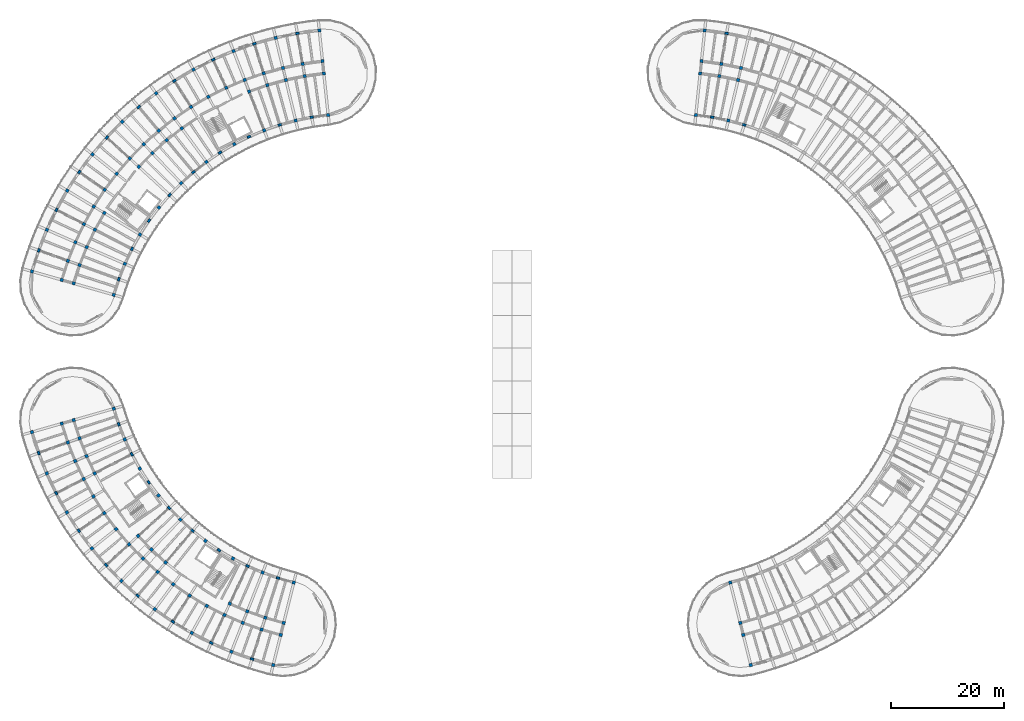
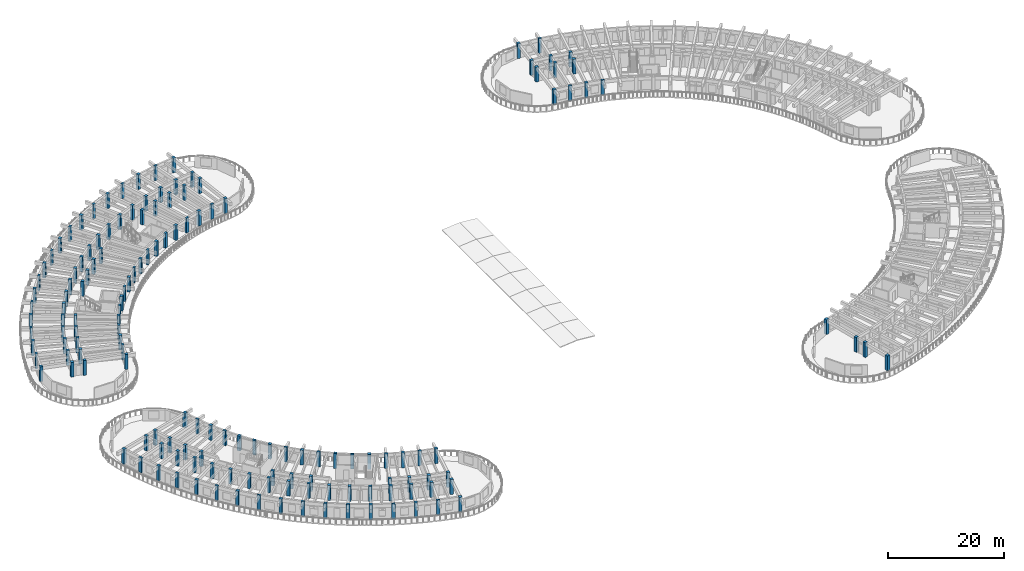
# One storey, part 1 of 69: 149 columns.
"""IFC4 building model written with IfcOpenShell, lengths in metres."""

from ifc_helpers import new_model, si_unit, direction, frame, origin, origin_2d, place, context, subcontext, project, spatial, rectangle, extrude, material, material_profile, profile_set, type_object, element, save


model = new_model("IFC4")

# Units and contexts
model_context = context("Model", 3, precision=1e-05, world=origin(), true_north=direction((0.0, 1.0)))
body_context = subcontext(model_context, "Body", "Model", "MODEL_VIEW")
ifc_project = project(units=[si_unit("LENGTHUNIT", "METRE"), si_unit("AREAUNIT", "SQUARE_METRE"), si_unit("VOLUMEUNIT", "CUBIC_METRE"), si_unit("PLANEANGLEUNIT", "RADIAN"), si_unit("MASSUNIT", "GRAM", prefix="KILO")], contexts=[model_context])

# Site, building, storey
site_placement = place(None, origin())
site = spatial("IfcSite", under=ifc_project, at=site_placement, CompositionType="ELEMENT")
building_placement = place(site_placement, origin())
building = spatial("IfcBuilding", under=site, at=building_placement, Name="Tanwirah Colonnade Gardens", CompositionType="ELEMENT")
storey_placement = place(building_placement, frame((0.0, 0.0, 15.56005859375)))
storey = spatial("IfcBuildingStorey", under=building, at=storey_placement, Name="L04", CompositionType="ELEMENT", Elevation=15.56005859375)

# Columns
ifc_material_1 = material(Name="Precast concrete C40/50", Category="concrete")
ifc_material_profile_1 = material_profile(ifc_material_1, rectangle(XDim=0.56005859375, YDim=0.56005859375, at=origin_2d()), Name="PC-COL 560x560")
ifc_profile_set_1 = profile_set([ifc_material_profile_1], Name="Precast concrete C40/50")
column_type_1 = type_object("IfcColumnType", Name="C-PC480", PredefinedType="COLUMN", material=ifc_profile_set_1)
for number, where, z_axis, x_axis, name in (
    (1, (22.27197265625, 52.247802734375, 0.0), (0.0, 0.0, 1.0), (-0.961261695938, -0.275637355817, 0.0), "Block C L04 Column 0-R0"),
    (2, (15.15869140625, 50.208251953125, 0.0), (0.0, 0.0, 1.0), (-0.961261695938, -0.275637355817, 0.0), "Block C L04 Column 0-R1"),
    (3, (13.043701171875, 49.601806640625, 0.0), (0.0, 0.0, 1.0), (-0.961261695938, -0.275637355817, 0.0), "Block C L04 Column 0-R2"),
    (4, (7.7568359375, 48.085693359375, 0.0), (0.0, 0.0, 1.0), (-0.961261695938, -0.275637355817, 0.0), "Block C L04 Column 0-R3"),
    (5, (16.199951171875, 46.97900390625, 0.0), (0.0, 0.0, 1.0), (-0.941176015256, -0.337916718003, 0.0), "Block C L04 Column 1-R1"),
    (6, (14.12939453125, 46.235595703125, 0.0), (0.0, 0.0, 1.0), (-0.941176015256, -0.337916718003, 0.0), "Block C L04 Column 1-R2"),
    (7, (24.236572265625, 46.775634765625, 0.0), (0.0, 0.0, 1.0), (-0.917060074385, -0.398749068925, 0.0), "Block C L04 Column 2-R0"),
    (8, (17.450439453125, 43.824951171875, 0.0), (0.0, 0.0, 1.0), (-0.917060074385, -0.398749068925, 0.0), "Block C L04 Column 2-R1"),
    (9, (15.432861328125, 42.947509765625, 0.0), (0.0, 0.0, 1.0), (-0.917060074385, -0.398749068925, 0.0), "Block C L04 Column 2-R2"),
    (10, (10.38916015625, 40.75439453125, 0.0), (0.0, 0.0, 1.0), (-0.917060074385, -0.398749068925, 0.0), "Block C L04 Column 2-R3"),
    (11, (18.904541015625, 40.75927734375, 0.0), (0.0, 0.0, 1.0), (-0.889017141486, -0.457873915117, 0.0), "Block C L04 Column 3-R1"),
    (12, (16.94873046875, 39.751953125, 0.0), (0.0, 0.0, 1.0), (-0.889017141486, -0.457873915117, 0.0), "Block C L04 Column 3-R2"),
    (13, (26.89892578125, 41.6064453125, 0.0), (0.0, 0.0, 1.0), (-0.857167300702, -0.51503807491, 0.0), "Block C L04 Column 4-R0"),
    (14, (18.670166015625, 36.662109375, 0.0), (0.0, 0.0, 1.0), (-0.857167300702, -0.51503807491, 0.0), "Block C L04 Column 4-R2"),
    (15, (13.95556640625, 33.82958984375, 0.0), (0.0, 0.0, 1.0), (-0.857167300702, -0.51503807491, 0.0), "Block C L04 Column 4-R3"),
    (16, (20.590087890625, 33.691650390625, 0.0), (0.0, 0.0, 1.0), (-0.821646937942, -0.569996762596, 0.0), "Block C L04 Column 5-R2"),
    (17, (30.213134765625, 36.829345703125, 0.0), (0.0, 0.0, 1.0), (-0.782608156852, -0.622514636638, 0.0), "Block C L04 Column 6-R0"),
    (18, (22.699951171875, 30.85302734375, 0.0), (0.0, 0.0, 1.0), (-0.782608156852, -0.622514636638, 0.0), "Block C L04 Column 6-R2"),
    (19, (18.395751953125, 27.42919921875, 0.0), (0.0, 0.0, 1.0), (-0.782608156852, -0.622514636638, 0.0), "Block C L04 Column 6-R3"),
    (20, (26.61962890625, 29.6376953125, 0.0), (0.0, 0.0, 1.0), (-0.740218127487, -0.672366807435, 0.0), "Block C L04 Column 7-R1"),
    (21, (24.9912109375, 28.15869140625, 0.0), (0.0, 0.0, 1.0), (-0.740218127487, -0.672366807435, 0.0), "Block C L04 Column 7-R2"),
    (22, (34.122314453125, 32.525390625, 0.0), (0.0, 0.0, 1.0), (-0.694658370459, -0.719339800339, 0.0), "Block C L04 Column 8-R0"),
    (23, (28.98193359375, 27.2021484375, 0.0), (0.0, 0.0, 1.0), (-0.694658370459, -0.719339800339, 0.0), "Block C L04 Column 8-R1"),
    (24, (27.45361328125, 25.61962890625, 0.0), (0.0, 0.0, 1.0), (-0.694658370459, -0.719339800339, 0.0), "Block C L04 Column 8-R2"),
    (25, (23.633056640625, 21.663330078125, 0.0), (0.0, 0.0, 1.0), (-0.694658370459, -0.719339800339, 0.0), "Block C L04 Column 8-R3"),
    (26, (31.49853515625, 24.926513671875, 0.0), (0.0, 0.0, 1.0), (-0.646123979643, -0.763232469783, 0.0), "Block C L04 Column 9-R1"),
    (27, (30.076904296875, 23.247314453125, 0.0), (0.0, 0.0, 1.0), (-0.646123979643, -0.763232469783, 0.0), "Block C L04 Column 9-R2"),
    (28, (38.56005859375, 28.7685546875, 0.0), (0.0, 0.0, 1.0), (-0.594822786751, -0.803856860617, 0.0), "Block C L04 Column 10-R0"),
    (29, (32.849853515625, 21.051513671875, 0.0), (0.0, 0.0, 1.0), (-0.594822786751, -0.803856860617, 0.0), "Block C L04 Column 10-R2"),
    (30, (29.578369140625, 16.63037109375, 0.0), (0.0, 0.0, 1.0), (-0.594822786751, -0.803856860617, 0.0), "Block C L04 Column 10-R3"),
    (31, (35.76025390625, 19.041748046875, 0.0), (0.0, 0.0, 1.0), (-0.540974471368, -0.841039012964, 0.0), "Block C L04 Column 11-R2"),
    (32, (43.4501953125, 25.623046875, 0.0), (0.0, 0.0, 1.0), (-0.484809620246, -0.874619707139, 0.0), "Block C L04 Column 12-R0"),
    (33, (38.796142578125, 17.226806640625, 0.0), (0.0, 0.0, 1.0), (-0.484809620246, -0.874619707139, 0.0), "Block C L04 Column 12-R2"),
    (34, (36.129638671875, 12.41650390625, 0.0), (0.0, 0.0, 1.0), (-0.484809620246, -0.874619707139, 0.0), "Block C L04 Column 12-R3"),
    (35, (42.88232421875, 17.60400390625, 0.0), (0.0, 0.0, 1.0), (-0.426568739901, -0.904455145454, 0.0), "Block C L04 Column 13-R1"),
    (36, (41.94384765625, 15.6142578125, 0.0), (0.0, 0.0, 1.0), (-0.426568739901, -0.904455145454, 0.0), "Block C L04 Column 13-R2"),
    (37, (48.708984375, 23.142822265625, 0.0), (0.0, 0.0, 1.0), (-0.366501226724, -0.930417567982, 0.0), "Block C L04 Column 14-R0"),
    (38, (45.996826171875, 16.2578125, 0.0), (0.0, 0.0, 1.0), (-0.366501226724, -0.930417567982, 0.0), "Block C L04 Column 14-R1"),
    (39, (45.190673828125, 14.2109375, 0.0), (0.0, 0.0, 1.0), (-0.366501226724, -0.930417567982, 0.0), "Block C L04 Column 14-R2"),
    (40, (43.1748046875, 9.09375, 0.0), (0.0, 0.0, 1.0), (-0.366501226724, -0.930417567982, 0.0), "Block C L04 Column 14-R3"),
    (41, (49.19287109375, 15.1181640625, 0.0), (0.0, 0.0, 1.0), (-0.304864299028, -0.952395799643, 0.0), "Block C L04 Column 15-R1"),
    (42, (48.52197265625, 13.02294921875, 0.0), (0.0, 0.0, 1.0), (-0.304864299028, -0.952395799643, 0.0), "Block C L04 Column 15-R2"),
    (43, (54.24658203125, 21.370361328125, 0.0), (0.0, 0.0, 1.0), (-0.2419218956, -0.970295726276, 0.0), "Block C L04 Column 16-R0"),
    (44, (52.456298828125, 14.190185546875, 0.0), (0.0, 0.0, 1.0), (-0.2419218956, -0.970295726276, 0.0), "Block C L04 Column 16-R1"),
    (45, (51.924072265625, 12.055419921875, 0.0), (0.0, 0.0, 1.0), (-0.2419218956, -0.970295726276, 0.0), "Block C L04 Column 16-R2"),
    (46, (50.593505859375, 6.718994140625, 0.0), (0.0, 0.0, 1.0), (-0.2419218956, -0.970295726276, 0.0), "Block C L04 Column 16-R3"),
    (47, (131.75341796875, 21.370361328125, 0.0), (0.0, 0.0, 1.0), (0.2419218956, -0.970295726276, 0.0), "Block D L04 Column 0-R0"),
    (48, (133.543701171875, 14.190185546875, 0.0), (0.0, 0.0, 1.0), (0.2419218956, -0.970295726276, 0.0), "Block D L04 Column 0-R1"),
    (49, (134.075927734375, 12.055419921875, 0.0), (0.0, 0.0, 1.0), (0.2419218956, -0.970295726276, 0.0), "Block D L04 Column 0-R2"),
    (50, (135.406494140625, 6.718994140625, 0.0), (0.0, 0.0, 1.0), (0.2419218956, -0.970295726276, 0.0), "Block D L04 Column 0-R3"),
):
    element("IfcColumn", number, at=place(storey_placement, frame(where, z_axis=z_axis, x_axis=x_axis)), inside=storey, type_object=column_type_1, Name=name, PredefinedType="COLUMN", context=body_context, shape_type="SweptSolid", body=[
        extrude(rectangle(XDim=0.56005859375, YDim=0.56005859375, at=origin_2d()), origin(), (0.0, 0.0, 1.0), 3.10986328125),
    ])
ifc_material_2 = material(Name="Precast concrete C45/55", Category="concrete")
ifc_material_profile_2 = material_profile(ifc_material_2, rectangle(XDim=0.550048828125, YDim=0.550048828125, at=origin_2d()), Name="PC-COL 550x550")
ifc_profile_set_2 = profile_set([ifc_material_profile_2], Name="Precast concrete C45/55")
column_type_2 = type_object("IfcColumnType", Name="C-PC550", PredefinedType="COLUMN", material=ifc_profile_set_2)
for number, where, z_axis, x_axis, name in (
    (51, (60.353759765625, 104.406494140625, 0.0), (0.0, 0.0, 1.0), (-0.104528463268, 0.994521895368, 0.0), "Block A L04 Column 0-R0"),
    (52, (59.580078125, 111.765869140625, 0.0), (0.0, 0.0, 1.0), (-0.104528463268, 0.994521895368, 0.0), "Block A L04 Column 0-R1"),
    (53, (59.350341796875, 113.953857421875, 0.0), (0.0, 0.0, 1.0), (-0.104528463268, 0.994521895368, 0.0), "Block A L04 Column 0-R2"),
    (54, (58.775390625, 119.423828125, 0.0), (0.0, 0.0, 1.0), (-0.104528463268, 0.994521895368, 0.0), "Block A L04 Column 0-R3"),
    (55, (56.1943359375, 111.296875, 0.0), (0.0, 0.0, 1.0), (-0.169827298811, 0.985473839622, 0.0), "Block A L04 Column 1-R1"),
    (56, (55.82080078125, 113.46484375, 0.0), (0.0, 0.0, 1.0), (-0.169827298811, 0.985473839622, 0.0), "Block A L04 Column 1-R2"),
    (57, (54.58154296875, 103.411865234375, 0.0), (0.0, 0.0, 1.0), (-0.23438809799, 0.972143106503, 0.0), "Block A L04 Column 2-R0"),
    (58, (52.846923828125, 110.605712890625, 0.0), (0.0, 0.0, 1.0), (-0.23438809799, 0.972143106503, 0.0), "Block A L04 Column 2-R1"),
    (59, (52.331298828125, 112.744384765625, 0.0), (0.0, 0.0, 1.0), (-0.23438809799, 0.972143106503, 0.0), "Block A L04 Column 2-R2"),
    (60, (51.042236328125, 118.091064453125, 0.0), (0.0, 0.0, 1.0), (-0.23438809799, 0.972143106503, 0.0), "Block A L04 Column 2-R3"),
    (61, (49.55224609375, 109.6953125, 0.0), (0.0, 0.0, 1.0), (-0.297930292146, 0.954587628781, 0.0), "Block A L04 Column 3-R1"),
    (62, (48.89697265625, 111.79541015625, 0.0), (0.0, 0.0, 1.0), (-0.297930292146, 0.954587628781, 0.0), "Block A L04 Column 3-R2"),
    (63, (48.989990234375, 101.666748046875, 0.0), (0.0, 0.0, 1.0), (-0.360177739278, 0.932883699144, 0.0), "Block A L04 Column 4-R0"),
    (64, (46.32470703125, 108.570068359375, 0.0), (0.0, 0.0, 1.0), (-0.360177739278, 0.932883699144, 0.0), "Block A L04 Column 4-R1"),
    (65, (45.532470703125, 110.622314453125, 0.0), (0.0, 0.0, 1.0), (-0.360177739278, 0.932883699144, 0.0), "Block A L04 Column 4-R2"),
    (66, (43.551513671875, 115.753173828125, 0.0), (0.0, 0.0, 1.0), (-0.360177739278, 0.932883699144, 0.0), "Block A L04 Column 4-R3"),
    (67, (42.25244140625, 109.230224609375, 0.0), (0.0, 0.0, 1.0), (-0.420859924104, 0.907125638643, 0.0), "Block A L04 Column 5-R2"),
    (68, (43.6767578125, 99.20166015625, 0.0), (0.0, 0.0, 1.0), (-0.479713133669, 0.877425386791, 0.0), "Block A L04 Column 6-R0"),
    (69, (39.071533203125, 107.624755859375, 0.0), (0.0, 0.0, 1.0), (-0.479713133669, 0.877425386791, 0.0), "Block A L04 Column 6-R2"),
    (70, (36.43310546875, 112.45068359375, 0.0), (0.0, 0.0, 1.0), (-0.479713133669, 0.877425386791, 0.0), "Block A L04 Column 6-R3"),
    (71, (36.003173828125, 105.8134765625, 0.0), (0.0, 0.0, 1.0), (-0.536481603385, 0.843912015099, 0.0), "Block A L04 Column 7-R2"),
    (72, (38.733642578125, 96.05908203125, 0.0), (0.0, 0.0, 1.0), (-0.590918628541, 0.806731166153, 0.0), "Block A L04 Column 8-R0"),
    (73, (34.36083984375, 102.029052734375, 0.0), (0.0, 0.0, 1.0), (-0.590918628541, 0.806731166153, 0.0), "Block A L04 Column 8-R1"),
    (74, (33.060791015625, 103.8037109375, 0.0), (0.0, 0.0, 1.0), (-0.590918628541, 0.806731166153, 0.0), "Block A L04 Column 8-R2"),
    (75, (29.810791015625, 108.24072265625, 0.0), (0.0, 0.0, 1.0), (-0.590918628541, 0.806731166153, 0.0), "Block A L04 Column 8-R3"),
    (76, (31.67138671875, 99.91943359375, 0.0), (0.0, 0.0, 1.0), (-0.642787636427, 0.766044420681, 0.0), "Block A L04 Column 9-R1"),
    (77, (30.25732421875, 101.604736328125, 0.0), (0.0, 0.0, 1.0), (-0.642787636427, 0.766044420681, 0.0), "Block A L04 Column 9-R2"),
    (78, (34.24658203125, 92.294189453125, 0.0), (0.0, 0.0, 1.0), (-0.691863214436, 0.722028595355, 0.0), "Block A L04 Column 10-R0"),
    (79, (29.126953125, 97.63720703125, 0.0), (0.0, 0.0, 1.0), (-0.691863214436, 0.722028595355, 0.0), "Block A L04 Column 10-R1"),
    (80, (27.604736328125, 99.2255859375, 0.0), (0.0, 0.0, 1.0), (-0.691863214436, 0.722028595355, 0.0), "Block A L04 Column 10-R2"),
    (81, (23.799560546875, 103.19677734375, 0.0), (0.0, 0.0, 1.0), (-0.691863214436, 0.722028595355, 0.0), "Block A L04 Column 10-R3"),
    (82, (26.73828125, 95.1923828125, 0.0), (0.0, 0.0, 1.0), (-0.737932089665, 0.674874974378, 0.0), "Block A L04 Column 11-R1"),
    (83, (25.11474609375, 96.677001953125, 0.0), (0.0, 0.0, 1.0), (-0.737932089665, 0.674874974378, 0.0), "Block A L04 Column 11-R2"),
    (84, (30.293701171875, 87.971923828125, 0.0), (0.0, 0.0, 1.0), (-0.780794055756, 0.624788478204, 0.0), "Block A L04 Column 12-R0"),
    (85, (22.798095703125, 93.9697265625, 0.0), (0.0, 0.0, 1.0), (-0.780794055756, 0.624788478204, 0.0), "Block A L04 Column 12-R2"),
    (86, (18.503662109375, 97.40625, 0.0), (0.0, 0.0, 1.0), (-0.780794055756, 0.624788478204, 0.0), "Block A L04 Column 12-R3"),
    (87, (20.664794921875, 91.115966796875, 0.0), (0.0, 0.0, 1.0), (-0.82026284295, 0.57198677299, 0.0), "Block A L04 Column 13-R2"),
    (88, (26.943359375, 83.167236328125, 0.0), (0.0, 0.0, 1.0), (-0.856166927587, 0.516699324663, 0.0), "Block A L04 Column 14-R0"),
    (89, (20.607666015625, 86.990966796875, 0.0), (0.0, 0.0, 1.0), (-0.856166927587, 0.516699324663, 0.0), "Block A L04 Column 14-R1"),
    (90, (18.72412109375, 88.127685546875, 0.0), (0.0, 0.0, 1.0), (-0.856166927587, 0.516699324663, 0.0), "Block A L04 Column 14-R2"),
    (91, (14.015380859375, 90.969482421875, 0.0), (0.0, 0.0, 1.0), (-0.856166927587, 0.516699324663, 0.0), "Block A L04 Column 14-R3"),
    (92, (18.93896484375, 84.0078125, 0.0), (0.0, 0.0, 1.0), (-0.888350277506, 0.459166401705, 0.0), "Block A L04 Column 15-R1"),
    (93, (16.984619140625, 85.017822265625, 0.0), (0.0, 0.0, 1.0), (-0.888350277506, 0.459166401705, 0.0), "Block A L04 Column 15-R2"),
    (94, (24.25390625, 77.9638671875, 0.0), (0.0, 0.0, 1.0), (-0.916673030138, 0.399638030994, 0.0), "Block A L04 Column 16-R0"),
    (95, (17.470458984375, 80.921142578125, 0.0), (0.0, 0.0, 1.0), (-0.916673030138, 0.399638030994, 0.0), "Block A L04 Column 16-R1"),
    (96, (15.453857421875, 81.800537109375, 0.0), (0.0, 0.0, 1.0), (-0.916673030138, 0.399638030994, 0.0), "Block A L04 Column 16-R2"),
    (97, (10.412109375, 83.99853515625, 0.0), (0.0, 0.0, 1.0), (-0.916673030138, 0.399638030994, 0.0), "Block A L04 Column 16-R3"),
    (98, (16.20849609375, 77.74462890625, 0.0), (0.0, 0.0, 1.0), (-0.941012100316, 0.338372911236, 0.0), "Block A L04 Column 17-R1"),
    (99, (14.13818359375, 78.489013671875, 0.0), (0.0, 0.0, 1.0), (-0.941012100316, 0.338372911236, 0.0), "Block A L04 Column 17-R2"),
    (100, (22.27197265625, 72.4521484375, 0.0), (0.0, 0.0, 1.0), (-0.961261715181, 0.275637288708, 0.0), "Block A L04 Column 18-R0"),
    (101, (15.15869140625, 74.49169921875, 0.0), (0.0, 0.0, 1.0), (-0.961261715181, 0.275637288708, 0.0), "Block A L04 Column 18-R1"),
    (102, (13.043701171875, 75.09814453125, 0.0), (0.0, 0.0, 1.0), (-0.961261715181, 0.275637288708, 0.0), "Block A L04 Column 18-R2"),
    (103, (7.7568359375, 76.6142578125, 0.0), (0.0, 0.0, 1.0), (-0.961261715181, 0.275637288708, 0.0), "Block A L04 Column 18-R3"),
    (104, (131.41845703125, 103.411865234375, 0.0), (0.0, 0.0, 1.0), (0.234388030122, 0.972143122866, 0.0), "Block B L04 Column 16-R0"),
    (105, (133.153076171875, 110.605712890625, 0.0), (0.0, 0.0, 1.0), (0.234388030122, 0.972143122866, 0.0), "Block B L04 Column 16-R1"),
    (106, (133.668701171875, 112.744384765625, 0.0), (0.0, 0.0, 1.0), (0.234388030122, 0.972143122866, 0.0), "Block B L04 Column 16-R2"),
    (107, (129.8056640625, 111.296875, 0.0), (0.0, 0.0, 1.0), (0.169827230012, 0.985473851478, 0.0), "Block B L04 Column 17-R1"),
    (108, (130.17919921875, 113.46484375, 0.0), (0.0, 0.0, 1.0), (0.169827230012, 0.985473851478, 0.0), "Block B L04 Column 17-R2"),
    (109, (125.646240234375, 104.406494140625, 0.0), (0.0, 0.0, 1.0), (0.104528393837, 0.994521902666, 0.0), "Block B L04 Column 18-R0"),
    (110, (126.419677734375, 111.765869140625, 0.0), (0.0, 0.0, 1.0), (0.104528393837, 0.994521902666, 0.0), "Block B L04 Column 18-R1"),
    (111, (126.649658203125, 113.953857421875, 0.0), (0.0, 0.0, 1.0), (0.104528393837, 0.994521902666, 0.0), "Block B L04 Column 18-R2"),
    (112, (127.224609375, 119.423828125, 0.0), (0.0, 0.0, 1.0), (0.104528393837, 0.994521902666, 0.0), "Block B L04 Column 18-R3"),
):
    element("IfcColumn", number, at=place(storey_placement, frame(where, z_axis=z_axis, x_axis=x_axis)), inside=storey, type_object=column_type_2, Name=name, PredefinedType="COLUMN", context=body_context, shape_type="SweptSolid", body=[
        extrude(rectangle(XDim=0.550048828125, YDim=0.550048828125, at=origin_2d()), origin(), (0.0, 0.0, 1.0), 3.10986328125),
    ])
ifc_material_profile_3 = material_profile(ifc_material_1, rectangle(XDim=0.3798828125, YDim=0.6201171875, at=origin_2d()), Name="PC-PIL 380x620")
ifc_profile_set_3 = profile_set([ifc_material_profile_3], Name="Precast concrete C40/50")
column_type_3 = type_object("IfcColumnType", Name="PIL-380", PredefinedType="PILASTER", material=ifc_profile_set_3)
for number, where, z_axis, x_axis, name in (
    (113, (57.451171875, 104.00439453125, 0.0), (0.0, 0.0, 1.0), (-0.169827298811, 0.985473839622, 0.0), "Block A L04 Column 1-R0"),
    (114, (54.88671875, 118.885009765625, 0.0), (0.0, 0.0, 1.0), (-0.169827298811, 0.985473839622, 0.0), "Block A L04 Column 1-R3"),
    (115, (51.757080078125, 102.63134765625, 0.0), (0.0, 0.0, 1.0), (-0.297930292146, 0.954587628781, 0.0), "Block A L04 Column 3-R0"),
    (116, (47.25830078125, 117.045654296875, 0.0), (0.0, 0.0, 1.0), (-0.297930292146, 0.954587628781, 0.0), "Block A L04 Column 3-R3"),
    (117, (46.292724609375, 100.521728515625, 0.0), (0.0, 0.0, 1.0), (-0.420859924104, 0.907125638643, 0.0), "Block A L04 Column 5-R0"),
    (118, (39.937744140625, 114.21923828125, 0.0), (0.0, 0.0, 1.0), (-0.420859924104, 0.907125638643, 0.0), "Block A L04 Column 5-R3"),
    (119, (41.1533203125, 97.7119140625, 0.0), (0.0, 0.0, 1.0), (-0.536481603385, 0.843912015099, 0.0), "Block A L04 Column 7-R0"),
    (120, (33.052490234375, 110.455078125, 0.0), (0.0, 0.0, 1.0), (-0.536481603385, 0.843912015099, 0.0), "Block A L04 Column 7-R3"),
    (121, (36.427978515625, 94.250732421875, 0.0), (0.0, 0.0, 1.0), (-0.642787636427, 0.766044420681, 0.0), "Block A L04 Column 9-R0"),
    (122, (26.721923828125, 105.81787109375, 0.0), (0.0, 0.0, 1.0), (-0.642787636427, 0.766044420681, 0.0), "Block A L04 Column 9-R3"),
    (123, (32.198974609375, 90.1982421875, 0.0), (0.0, 0.0, 1.0), (-0.737932089665, 0.674874974378, 0.0), "Block A L04 Column 11-R0"),
    (124, (21.05615234375, 100.388916015625, 0.0), (0.0, 0.0, 1.0), (-0.737932089665, 0.674874974378, 0.0), "Block A L04 Column 11-R3"),
    (125, (28.539306640625, 85.624755859375, 0.0), (0.0, 0.0, 1.0), (-0.82026284295, 0.57198677299, 0.0), "Block A L04 Column 13-R0"),
    (126, (16.1533203125, 94.26171875, 0.0), (0.0, 0.0, 1.0), (-0.82026284295, 0.57198677299, 0.0), "Block A L04 Column 13-R3"),
    (127, (25.512939453125, 80.60986328125, 0.0), (0.0, 0.0, 1.0), (-0.888350277506, 0.459166401705, 0.0), "Block A L04 Column 15-R0"),
    (128, (12.0986328125, 87.54345703125, 0.0), (0.0, 0.0, 1.0), (-0.888350277506, 0.459166401705, 0.0), "Block A L04 Column 15-R3"),
    (129, (23.172119140625, 75.24072265625, 0.0), (0.0, 0.0, 1.0), (-0.941012100316, 0.338372911236, 0.0), "Block A L04 Column 17-R0"),
    (130, (8.962646484375, 80.35009765625, 0.0), (0.0, 0.0, 1.0), (-0.941012100316, 0.338372911236, 0.0), "Block A L04 Column 17-R3"),
    (131, (134.242919921875, 102.63134765625, 0.0), (0.0, 0.0, 1.0), (0.297930225503, 0.954587649581, 0.0), "Block B L04 Column 15-R0"),
    (132, (128.548828125, 104.00439453125, 0.0), (0.0, 0.0, 1.0), (0.169827230012, 0.985473851478, 0.0), "Block B L04 Column 17-R0"),
    (133, (131.11328125, 118.885009765625, 0.0), (0.0, 0.0, 1.0), (0.169827230012, 0.985473851478, 0.0), "Block B L04 Column 17-R3"),
    (134, (23.164794921875, 49.4794921875, 0.0), (0.0, 0.0, 1.0), (-0.941176015256, -0.337916718003, 0.0), "Block C L04 Column 1-R0"),
    (135, (8.952880859375, 44.376953125, 0.0), (0.0, 0.0, 1.0), (-0.941176015256, -0.337916718003, 0.0), "Block C L04 Column 1-R3"),
    (136, (25.483154296875, 44.1474609375, 0.0), (0.0, 0.0, 1.0), (-0.889017141486, -0.457873915117, 0.0), "Block C L04 Column 3-R0"),
    (137, (12.05908203125, 37.233642578125, 0.0), (0.0, 0.0, 1.0), (-0.889017141486, -0.457873915117, 0.0), "Block C L04 Column 3-R3"),
    (138, (28.477783203125, 39.16357421875, 0.0), (0.0, 0.0, 1.0), (-0.821646937942, -0.569996762596, 0.0), "Block C L04 Column 5-R0"),
    (139, (16.071044921875, 30.556640625, 0.0), (0.0, 0.0, 1.0), (-0.821646937942, -0.569996762596, 0.0), "Block C L04 Column 5-R3"),
    (140, (32.097412109375, 34.61328125, 0.0), (0.0, 0.0, 1.0), (-0.740218127487, -0.672366807435, 0.0), "Block C L04 Column 7-R0"),
    (141, (20.919921875, 24.46044921875, 0.0), (0.0, 0.0, 1.0), (-0.740218127487, -0.672366807435, 0.0), "Block C L04 Column 7-R3"),
    (142, (36.27978515625, 30.57421875, 0.0), (0.0, 0.0, 1.0), (-0.646123979643, -0.763232469783, 0.0), "Block C L04 Column 9-R0"),
    (143, (26.5234375, 19.049560546875, 0.0), (0.0, 0.0, 1.0), (-0.646123979643, -0.763232469783, 0.0), "Block C L04 Column 9-R3"),
    (144, (40.95361328125, 27.11572265625, 0.0), (0.0, 0.0, 1.0), (-0.540974471368, -0.841039012964, 0.0), "Block C L04 Column 11-R0"),
    (145, (32.784912109375, 14.416015625, 0.0), (0.0, 0.0, 1.0), (-0.540974471368, -0.841039012964, 0.0), "Block C L04 Column 11-R3"),
    (146, (46.0390625, 24.296875, 0.0), (0.0, 0.0, 1.0), (-0.426568739901, -0.904455145454, 0.0), "Block C L04 Column 13-R0"),
    (147, (39.597900390625, 10.6396484375, 0.0), (0.0, 0.0, 1.0), (-0.426568739901, -0.904455145454, 0.0), "Block C L04 Column 13-R3"),
    (148, (51.44873046875, 22.166015625, 0.0), (0.0, 0.0, 1.0), (-0.304864299028, -0.952395799643, 0.0), "Block C L04 Column 15-R0"),
    (149, (46.84521484375, 7.784912109375, 0.0), (0.0, 0.0, 1.0), (-0.304864299028, -0.952395799643, 0.0), "Block C L04 Column 15-R3"),
):
    element("IfcColumn", number, at=place(storey_placement, frame(where, z_axis=z_axis, x_axis=x_axis)), inside=storey, type_object=column_type_3, Name=name, PredefinedType="PILASTER", context=body_context, shape_type="SweptSolid", body=[
        extrude(rectangle(XDim=0.3798828125, YDim=0.6201171875, at=origin_2d()), origin(), (0.0, 0.0, 1.0), 3.10986328125),
    ])

save(model, "model.ifc")
